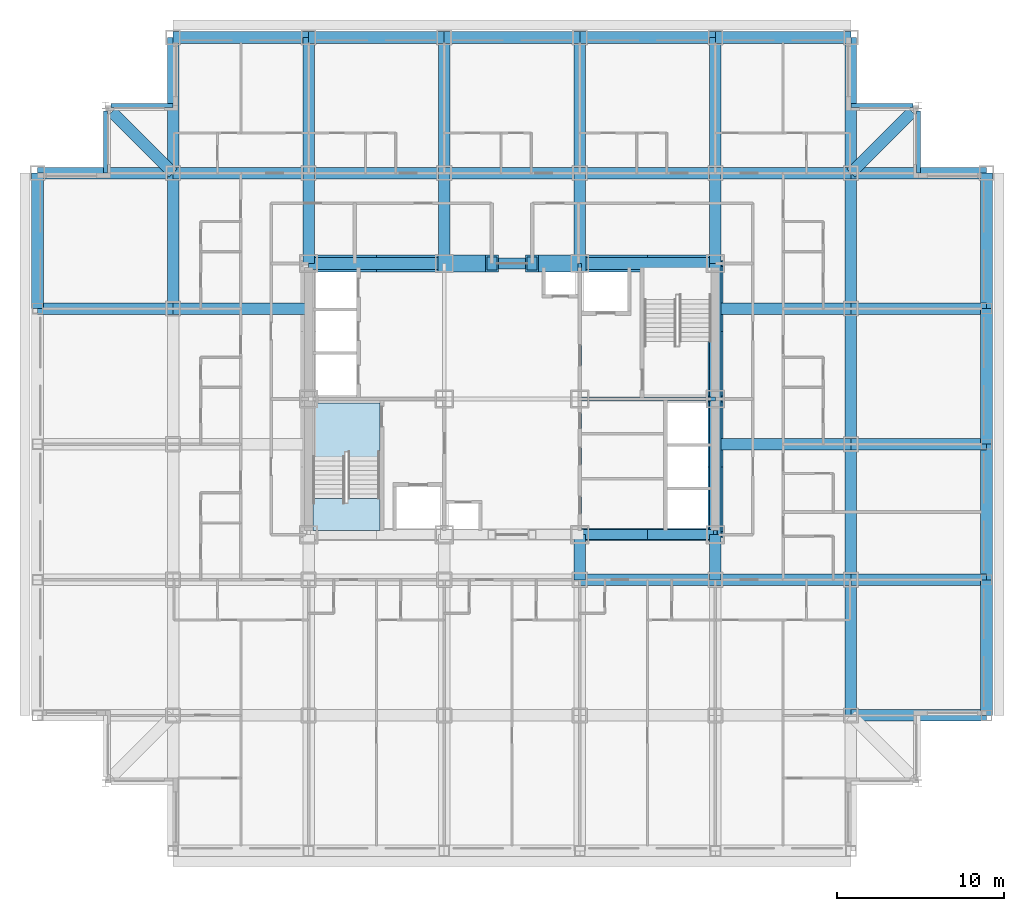
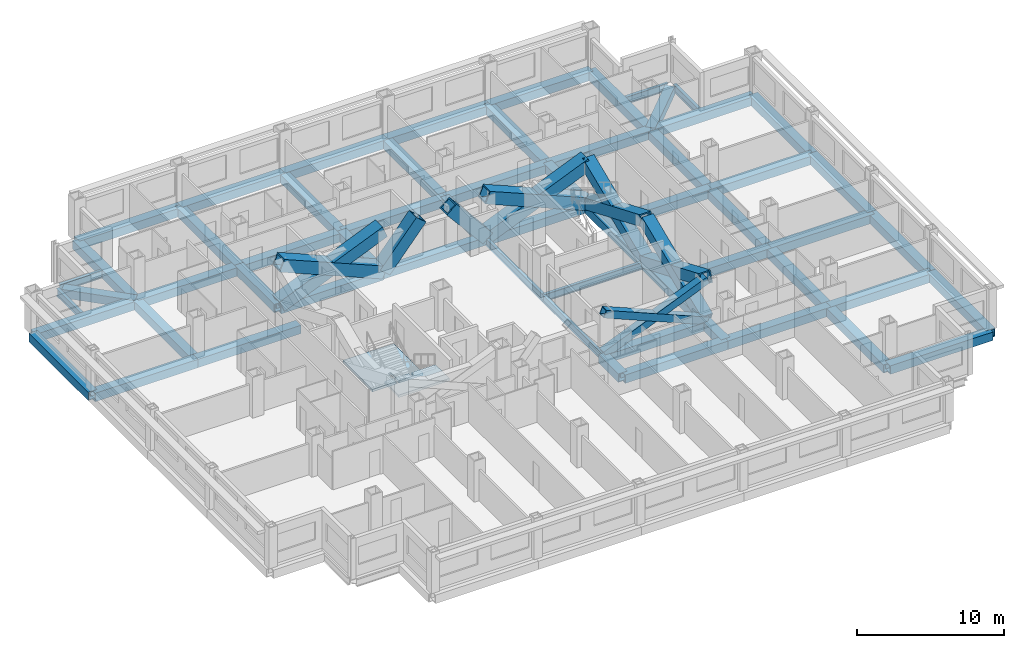
# One storey, part 2 of 12: 59 beams, 12 members, 2 slabs, 1 element without a shape of its own.
"""IFC4 building model written with IfcOpenShell, lengths in metres."""

from ifc_helpers import new_model, si_unit, direction, frame, origin, origin_2d, place, context, subcontext, project, spatial, polyline, hollow_rectangle, i_section, outline, extrude, material, layer, layer_set, material_profile, profile_set, type_object, element, aggregate, save


model = new_model("IFC4")

# Units and contexts
model_context = context("Model", 3, precision=1e-05, world=origin(), true_north=direction((0.0, 1.0)))
body_context = subcontext(model_context, "Body", "Model", "MODEL_VIEW")
ifc_project = project(units=[si_unit("LENGTHUNIT", "METRE"), si_unit("AREAUNIT", "SQUARE_METRE"), si_unit("VOLUMEUNIT", "CUBIC_METRE"), si_unit("PLANEANGLEUNIT", "RADIAN"), si_unit("MASSUNIT", "GRAM", prefix="KILO")], contexts=[model_context])

# Site, building, storey
site_placement = place(None, origin())
site = spatial("IfcSite", under=ifc_project, at=site_placement, CompositionType="ELEMENT")
building_placement = place(site_placement, origin())
building = spatial("IfcBuilding", under=site, at=building_placement, Name="Kopane Lantern Tower", CompositionType="ELEMENT")
storey_placement = place(building_placement, frame((0.0, 0.0, 103.39990234375)))
storey = spatial("IfcBuildingStorey", under=building, at=storey_placement, Name="L25", CompositionType="ELEMENT", Elevation=103.39990234375)

# Members
ifc_material_1 = material(Name="Steel S355JR", Category="steel")
ifc_material_profile_1 = material_profile(ifc_material_1, hollow_rectangle(XDim=1.0, YDim=1.0, WallThickness=0.10009765625, at=origin_2d()), Name="BOX 1000x1000x100")
ifc_profile_set_1 = profile_set([ifc_material_profile_1], Name="Steel S355JR")
member_type_1 = type_object("IfcMemberType", Name="BRACE BOX 1000x1000x100", PredefinedType="BRACE", material=ifc_profile_set_1)
for number, where, z_axis, x_axis, name in (
    (1, (16.199951171875, 40.5, -0.2099609375), (0.92205908274, 0.0, 0.387049154419), (0.0, 1.0, 0.0), "Core brace L25"),
    (2, (24.300048828125, 40.5, -0.2099609375), (-0.92205908274, 0.0, 0.387049154419), (0.0, -1.0, 0.0), "Core brace L25"),
):
    element("IfcMember", number, at=place(storey_placement, frame(where, z_axis=z_axis, x_axis=x_axis)), inside=storey, type_object=member_type_1, Name=name, PredefinedType="BRACE", context=body_context, shape_type="SweptSolid", body=[
        extrude(hollow_rectangle(XDim=1.0, YDim=1.0, WallThickness=0.10009765625, at=origin_2d()), origin(), (0.0, 0.0, 1.0), 8.784912109375),
    ])
for number, where, z_axis, x_axis, name in (
    (3, (24.300048828125, 40.5, -0.2099609375), (0.642363165114, 0.0, 0.766400394118), (0.0, 1.0, 0.0), "Core brace L25"),
    (4, (32.39990234375, 40.5, -0.2099609375), (-0.642363165114, 0.0, 0.766400394118), (0.0, -1.0, 0.0), "Core brace L25"),
):
    element("IfcMember", number, at=place(storey_placement, frame(where, z_axis=z_axis, x_axis=x_axis)), inside=storey, type_object=member_type_1, Name=name, PredefinedType="BRACE", context=body_context, shape_type="SweptSolid", body=[
        extrude(hollow_rectangle(XDim=1.0, YDim=1.0, WallThickness=0.10009765625, at=origin_2d()), origin(), (0.0, 0.0, 1.0), 4.4365234375),
    ])
for number, where, z_axis, x_axis, name in (
    (5, (32.39990234375, 40.5, -0.2099609375), (0.92205908274, 0.0, 0.387049154419), (0.0, 1.0, 0.0), "Core brace L25"),
    (6, (40.5, 40.5, -0.2099609375), (-0.92205908274, 0.0, 0.387049154419), (0.0, -1.0, 0.0), "Core brace L25"),
):
    element("IfcMember", number, at=place(storey_placement, frame(where, z_axis=z_axis, x_axis=x_axis)), inside=storey, type_object=member_type_1, Name=name, PredefinedType="BRACE", context=body_context, shape_type="SweptSolid", body=[
        extrude(hollow_rectangle(XDim=1.0, YDim=1.0, WallThickness=0.10009765625, at=origin_2d()), origin(), (0.0, 0.0, 1.0), 8.784912109375),
    ])
ifc_material_2 = material(Name="Steel S355JR", Category="steel")
ifc_material_profile_2 = material_profile(ifc_material_2, hollow_rectangle(XDim=0.60009765625, YDim=0.60009765625, WallThickness=0.050048828125, at=origin_2d()), Name="BOX 600x600x50")
ifc_profile_set_2 = profile_set([ifc_material_profile_2], Name="Steel S355JR")
member_type_2 = type_object("IfcMemberType", Name="BRACE BOX 600x600x50", PredefinedType="BRACE", material=ifc_profile_set_2)
for number, where, z_axis, x_axis, name in (
    (7, (32.39990234375, 24.300048828125, -0.2099609375), (0.92205908274, 0.0, 0.387049154419), (0.0, 1.0, 0.0), "Core brace L25"),
    (8, (40.5, 24.300048828125, -0.2099609375), (-0.92205908274, 0.0, 0.387049154419), (0.0, -1.0, 0.0), "Core brace L25"),
):
    element("IfcMember", number, at=place(storey_placement, frame(where, z_axis=z_axis, x_axis=x_axis)), inside=storey, type_object=member_type_2, Name=name, PredefinedType="BRACE", context=body_context, shape_type="SweptSolid", body=[
        extrude(hollow_rectangle(XDim=0.60009765625, YDim=0.60009765625, WallThickness=0.050048828125, at=origin_2d()), origin(), (0.0, 0.0, 1.0), 8.784912109375),
    ])
ifc_material_3 = material(Name="Steel S355JR", Category="steel")
ifc_material_profile_3 = material_profile(ifc_material_3, hollow_rectangle(XDim=0.89990234375, YDim=0.89990234375, WallThickness=0.090087890625, at=origin_2d()), Name="BOX 900x900x90")
ifc_profile_set_3 = profile_set([ifc_material_profile_3], Name="Steel S355JR")
member_type_3 = type_object("IfcMemberType", Name="BRACE BOX 900x900x90", PredefinedType="BRACE", material=ifc_profile_set_3)
for number, where, z_axis, x_axis, name in (
    (9, (40.5, 24.300048828125, -0.2099609375), (0.0, 0.92205491925, 0.387059072864), (-1.0, 0.0, 0.0), "Core brace L25"),
    (10, (40.5, 32.39990234375, -0.2099609375), (0.0, -0.92205491925, 0.387059072864), (1.0, 0.0, 0.0), "Core brace L25"),
):
    element("IfcMember", number, at=place(storey_placement, frame(where, z_axis=z_axis, x_axis=x_axis)), inside=storey, type_object=member_type_3, Name=name, PredefinedType="BRACE", context=body_context, shape_type="SweptSolid", body=[
        extrude(hollow_rectangle(XDim=0.89990234375, YDim=0.89990234375, WallThickness=0.090087890625, at=origin_2d()), origin(), (0.0, 0.0, 1.0), 8.78466796875),
    ])
for number, where, z_axis, x_axis, name in (
    (11, (40.5, 32.39990234375, -0.2099609375), (0.0, 0.92205908274, 0.387049154419), (-1.0, 0.0, 0.0), "Core brace L25"),
    (12, (40.5, 40.5, -0.2099609375), (0.0, -0.92205908274, 0.387049154419), (1.0, 0.0, 0.0), "Core brace L25"),
):
    element("IfcMember", number, at=place(storey_placement, frame(where, z_axis=z_axis, x_axis=x_axis)), inside=storey, type_object=member_type_3, Name=name, PredefinedType="BRACE", context=body_context, shape_type="SweptSolid", body=[
        extrude(hollow_rectangle(XDim=0.89990234375, YDim=0.89990234375, WallThickness=0.090087890625, at=origin_2d()), origin(), (0.0, 0.0, 1.0), 8.784912109375),
    ])

# Beams
ifc_material_4 = material(Name="Steel S355JR", Category="steel")
ifc_material_profile_4 = material_profile(ifc_material_4, i_section(OverallWidth=0.22900390625, OverallDepth=0.6123046875, WebThickness=0.011962890625, FlangeThickness=0.01953125, FilletRadius=0.0126953125, at=origin_2d()), Name="UB 610x229x125")
ifc_profile_set_4 = profile_set([ifc_material_profile_4], Name="Steel S355JR")
beam_type_1 = type_object("IfcBeamType", Name="CORE BEAM UB 610x229x125", PredefinedType="BEAM", material=ifc_profile_set_4)
beam_1_placement = place(storey_placement, frame((32.39990234375, 24.300048828125, -0.51611328125), z_axis=(0.0, 1.0, 0.0), x_axis=(-1.0, 0.0, 0.0)))
element("IfcBeam", 13, at=beam_1_placement, inside=storey, type_object=beam_type_1, Name="Core Beam L25", PredefinedType="BEAM", context=body_context, shape_type="SweptSolid", body=[
    extrude(i_section(OverallWidth=0.22900390625, OverallDepth=0.6123046875, WebThickness=0.011962890625, FlangeThickness=0.01953125, FilletRadius=0.0126953125, at=origin_2d()), origin(), (0.0, 0.0, 1.0), 8.099853515625),
])
for number, where, z_axis, x_axis, name in (
    (14, (32.39990234375, 32.39990234375, -0.51611328125), (0.0, 1.0, 0.0), (-1.0, 0.0, 0.0), "Core Beam L25"),
    (15, (32.39990234375, 32.39990234375, -0.51611328125), (1.0, 0.0, 0.0), (0.0, 1.0, 0.0), "Core Beam L25"),
):
    element("IfcBeam", number, at=place(storey_placement, frame(where, z_axis=z_axis, x_axis=x_axis)), inside=storey, type_object=beam_type_1, Name=name, PredefinedType="BEAM", context=body_context, shape_type="SweptSolid", body=[
        extrude(i_section(OverallWidth=0.22900390625, OverallDepth=0.6123046875, WebThickness=0.011962890625, FlangeThickness=0.01953125, FilletRadius=0.0126953125, at=origin_2d()), origin(), (0.0, 0.0, 1.0), 8.10009765625),
    ])
ifc_material_5 = material(Name="Steel S355JR", Category="steel")
ifc_material_profile_5 = material_profile(ifc_material_5, hollow_rectangle(XDim=0.699951171875, YDim=0.699951171875, WallThickness=0.06005859375, at=origin_2d()), Name="BOX 700x700x60")
ifc_profile_set_5 = profile_set([ifc_material_profile_5], Name="Steel S355JR")
beam_type_2 = type_object("IfcBeamType", Name="CORNER TIE BEAM BOX 700x700x60", PredefinedType="BEAM", material=ifc_profile_set_5)
beam_2_placement = place(storey_placement, frame((4.447509765625, 49.552490234375, -0.559814453125), z_axis=(0.707106781187, -0.707106781187, 0.0), x_axis=(0.707106781187, 0.707106781187, 0.0)))
element("IfcBeam", 16, at=beam_2_placement, inside=storey, type_object=beam_type_2, Name="Corner Tie Beam L25", PredefinedType="BEAM", context=body_context, shape_type="SweptSolid", body=[
    extrude(hollow_rectangle(XDim=0.699951171875, YDim=0.699951171875, WallThickness=0.06005859375, at=origin_2d()), origin(), (0.0, 0.0, 1.0), 5.16552734375),
])
beam_3_placement = place(storey_placement, frame((52.25244140625, 49.552490234375, -0.559814453125), z_axis=(-0.707083148333, -0.70713041325, 0.0), x_axis=(0.70713041325, -0.707083148333, 0.0)))
element("IfcBeam", 17, at=beam_3_placement, inside=storey, type_object=beam_type_2, Name="Corner Tie Beam L25", PredefinedType="BEAM", context=body_context, shape_type="SweptSolid", body=[
    extrude(hollow_rectangle(XDim=0.699951171875, YDim=0.699951171875, WallThickness=0.06005859375, at=origin_2d()), origin(), (0.0, 0.0, 1.0), 5.165283203125),
])
ifc_material_6 = material(Name="Steel S355JR", Category="steel")
ifc_material_profile_6 = material_profile(ifc_material_6, i_section(OverallWidth=0.22900390625, OverallDepth=0.6123046875, WebThickness=0.011962890625, FlangeThickness=0.01953125, FilletRadius=0.0126953125, at=origin_2d()), Name="UB 610x229x125")
ifc_profile_set_6 = profile_set([ifc_material_profile_6], Name="Steel S355JR")
beam_type_3 = type_object("IfcBeamType", Name="EDGE BEAM UB 610x229x125", PredefinedType="BEAM", material=ifc_profile_set_6)
for number, where, z_axis, x_axis, name in (
    (18, (4.050048828125, 49.60009765625, -0.51611328125), (0.0, -1.0, 0.0), (1.0, 0.0, 0.0), "Edge Beam L25"),
    (19, (4.39990234375, 49.949951171875, -0.51611328125), (1.0, 0.0, 0.0), (0.0, 1.0, 0.0), "Edge Beam L25"),
):
    element("IfcBeam", number, at=place(storey_placement, frame(where, z_axis=z_axis, x_axis=x_axis)), inside=storey, type_object=beam_type_3, Name=name, PredefinedType="BEAM", context=body_context, shape_type="SweptSolid", body=[
        extrude(i_section(OverallWidth=0.22900390625, OverallDepth=0.6123046875, WebThickness=0.011962890625, FlangeThickness=0.01953125, FilletRadius=0.0126953125, at=origin_2d()), origin(), (0.0, 0.0, 1.0), 3.7001953125),
    ])
beam_4_placement = place(storey_placement, frame((52.300048828125, 49.949951171875, -0.51611328125), z_axis=(-1.0, 0.0, 0.0), x_axis=(0.0, -1.0, 0.0)))
element("IfcBeam", 20, at=beam_4_placement, inside=storey, type_object=beam_type_3, Name="Edge Beam L25", PredefinedType="BEAM", context=body_context, shape_type="SweptSolid", body=[
    extrude(i_section(OverallWidth=0.22900390625, OverallDepth=0.6123046875, WebThickness=0.011962890625, FlangeThickness=0.01953125, FilletRadius=0.0126953125, at=origin_2d()), origin(), (0.0, 0.0, 1.0), 3.699951171875),
])
beam_5_placement = place(storey_placement, frame((52.64990234375, 49.60009765625, -0.51611328125), z_axis=(0.0, -1.0, 0.0), x_axis=(1.0, 0.0, 0.0)))
element("IfcBeam", 21, at=beam_5_placement, inside=storey, type_object=beam_type_3, Name="Edge Beam L25", PredefinedType="BEAM", context=body_context, shape_type="SweptSolid", body=[
    extrude(i_section(OverallWidth=0.22900390625, OverallDepth=0.6123046875, WebThickness=0.011962890625, FlangeThickness=0.01953125, FilletRadius=0.0126953125, at=origin_2d()), origin(), (0.0, 0.0, 1.0), 3.7001953125),
])
ifc_material_7 = material(Name="Steel S355JR", Category="steel")
ifc_material_profile_7 = material_profile(ifc_material_7, hollow_rectangle(XDim=0.699951171875, YDim=0.699951171875, WallThickness=0.06005859375, at=origin_2d()), Name="BOX 700x700x60")
ifc_profile_set_7 = profile_set([ifc_material_profile_7], Name="Steel S355JR")
beam_type_4 = type_object("IfcBeamType", Name="GIRDER BOX 700x700x60", PredefinedType="BEAM", material=ifc_profile_set_7)
beam_6_placement = place(storey_placement, frame((0.0, 37.800048828125, -0.559814453125), z_axis=(0.0, 1.0, 0.0), x_axis=(-1.0, 0.0, 0.0)))
element("IfcBeam", 22, at=beam_6_placement, inside=storey, type_object=beam_type_4, Name="Girder L25", PredefinedType="BEAM", context=body_context, shape_type="SweptSolid", body=[
    extrude(hollow_rectangle(XDim=0.699951171875, YDim=0.699951171875, WallThickness=0.06005859375, at=origin_2d()), origin(), (0.0, 0.0, 1.0), 8.099853515625),
])
for number, where, z_axis, x_axis, name in (
    (23, (0.0, 37.800048828125, -0.559814453125), (1.0, 0.0, 0.0), (0.0, 1.0, 0.0), "Girder L25"),
    (24, (0.0, 45.89990234375, -0.559814453125), (1.0, 0.0, 0.0), (0.0, 1.0, 0.0), "Girder L25"),
):
    element("IfcBeam", number, at=place(storey_placement, frame(where, z_axis=z_axis, x_axis=x_axis)), inside=storey, type_object=beam_type_4, Name=name, PredefinedType="BEAM", context=body_context, shape_type="SweptSolid", body=[
        extrude(hollow_rectangle(XDim=0.699951171875, YDim=0.699951171875, WallThickness=0.06005859375, at=origin_2d()), origin(), (0.0, 0.0, 1.0), 8.10009765625),
    ])
for number, where, z_axis, x_axis, name in (
    (25, (8.10009765625, 37.800048828125, -0.559814453125), (0.0, 1.0, 0.0), (-1.0, 0.0, 0.0), "Girder L25"),
    (26, (8.10009765625, 37.800048828125, -0.559814453125), (1.0, 0.0, 0.0), (0.0, 1.0, 0.0), "Girder L25"),
):
    element("IfcBeam", number, at=place(storey_placement, frame(where, z_axis=z_axis, x_axis=x_axis)), inside=storey, type_object=beam_type_4, Name=name, PredefinedType="BEAM", context=body_context, shape_type="SweptSolid", body=[
        extrude(hollow_rectangle(XDim=0.699951171875, YDim=0.699951171875, WallThickness=0.06005859375, at=origin_2d()), origin(), (0.0, 0.0, 1.0), 8.099853515625),
    ])
beam_7_placement = place(storey_placement, frame((8.10009765625, 45.89990234375, -0.559814453125), z_axis=(0.0, 1.0, 0.0), x_axis=(-1.0, 0.0, 0.0)))
element("IfcBeam", 27, at=beam_7_placement, inside=storey, type_object=beam_type_4, Name="Girder L25", PredefinedType="BEAM", context=body_context, shape_type="SweptSolid", body=[
    extrude(hollow_rectangle(XDim=0.699951171875, YDim=0.699951171875, WallThickness=0.06005859375, at=origin_2d()), origin(), (0.0, 0.0, 1.0), 8.10009765625),
])
for number, where, z_axis, x_axis, name in (
    (28, (8.10009765625, 45.89990234375, -0.559814453125), (1.0, 0.0, 0.0), (0.0, 1.0, 0.0), "Girder L25"),
    (29, (8.10009765625, 54.0, -0.559814453125), (1.0, 0.0, 0.0), (0.0, 1.0, 0.0), "Girder L25"),
):
    element("IfcBeam", number, at=place(storey_placement, frame(where, z_axis=z_axis, x_axis=x_axis)), inside=storey, type_object=beam_type_4, Name=name, PredefinedType="BEAM", context=body_context, shape_type="SweptSolid", body=[
        extrude(hollow_rectangle(XDim=0.699951171875, YDim=0.699951171875, WallThickness=0.06005859375, at=origin_2d()), origin(), (0.0, 0.0, 1.0), 8.099853515625),
    ])
beam_8_placement = place(storey_placement, frame((16.199951171875, 40.5, -0.559814453125), z_axis=(0.0, 1.0, 0.0), x_axis=(-1.0, 0.0, 0.0)))
element("IfcBeam", 30, at=beam_8_placement, inside=storey, type_object=beam_type_4, Name="Girder L25", PredefinedType="BEAM", context=body_context, shape_type="SweptSolid", body=[
    extrude(hollow_rectangle(XDim=0.699951171875, YDim=0.699951171875, WallThickness=0.06005859375, at=origin_2d()), origin(), (0.0, 0.0, 1.0), 5.39990234375),
])
for number, where, z_axis, x_axis, name in (
    (31, (16.199951171875, 40.5, -0.559814453125), (1.0, 0.0, 0.0), (0.0, 1.0, 0.0), "Girder L25"),
    (32, (16.199951171875, 45.89990234375, -0.559814453125), (0.0, 1.0, 0.0), (-1.0, 0.0, 0.0), "Girder L25"),
    (33, (16.199951171875, 45.89990234375, -0.559814453125), (1.0, 0.0, 0.0), (0.0, 1.0, 0.0), "Girder L25"),
    (34, (16.199951171875, 54.0, -0.559814453125), (1.0, 0.0, 0.0), (0.0, 1.0, 0.0), "Girder L25"),
):
    element("IfcBeam", number, at=place(storey_placement, frame(where, z_axis=z_axis, x_axis=x_axis)), inside=storey, type_object=beam_type_4, Name=name, PredefinedType="BEAM", context=body_context, shape_type="SweptSolid", body=[
        extrude(hollow_rectangle(XDim=0.699951171875, YDim=0.699951171875, WallThickness=0.06005859375, at=origin_2d()), origin(), (0.0, 0.0, 1.0), 8.10009765625),
    ])
beam_9_placement = place(storey_placement, frame((24.300048828125, 40.5, -0.559814453125), z_axis=(0.0, 1.0, 0.0), x_axis=(-1.0, 0.0, 0.0)))
element("IfcBeam", 35, at=beam_9_placement, inside=storey, type_object=beam_type_4, Name="Girder L25", PredefinedType="BEAM", context=body_context, shape_type="SweptSolid", body=[
    extrude(hollow_rectangle(XDim=0.699951171875, YDim=0.699951171875, WallThickness=0.06005859375, at=origin_2d()), origin(), (0.0, 0.0, 1.0), 5.39990234375),
])
beam_10_placement = place(storey_placement, frame((24.300048828125, 45.89990234375, -0.559814453125), z_axis=(0.0, 1.0, 0.0), x_axis=(-1.0, 0.0, 0.0)))
element("IfcBeam", 36, at=beam_10_placement, inside=storey, type_object=beam_type_4, Name="Girder L25", PredefinedType="BEAM", context=body_context, shape_type="SweptSolid", body=[
    extrude(hollow_rectangle(XDim=0.699951171875, YDim=0.699951171875, WallThickness=0.06005859375, at=origin_2d()), origin(), (0.0, 0.0, 1.0), 8.10009765625),
])
for number, where, z_axis, x_axis, name in (
    (37, (24.300048828125, 45.89990234375, -0.559814453125), (1.0, 0.0, 0.0), (0.0, 1.0, 0.0), "Girder L25"),
    (38, (24.300048828125, 54.0, -0.559814453125), (1.0, 0.0, 0.0), (0.0, 1.0, 0.0), "Girder L25"),
):
    element("IfcBeam", number, at=place(storey_placement, frame(where, z_axis=z_axis, x_axis=x_axis)), inside=storey, type_object=beam_type_4, Name=name, PredefinedType="BEAM", context=body_context, shape_type="SweptSolid", body=[
        extrude(hollow_rectangle(XDim=0.699951171875, YDim=0.699951171875, WallThickness=0.06005859375, at=origin_2d()), origin(), (0.0, 0.0, 1.0), 8.099853515625),
    ])
beam_11_placement = place(storey_placement, frame((32.39990234375, 21.60009765625, -0.559814453125), z_axis=(0.0, 1.0, 0.0), x_axis=(-1.0, 0.0, 0.0)))
element("IfcBeam", 39, at=beam_11_placement, inside=storey, type_object=beam_type_4, Name="Girder L25", PredefinedType="BEAM", context=body_context, shape_type="SweptSolid", body=[
    extrude(hollow_rectangle(XDim=0.699951171875, YDim=0.699951171875, WallThickness=0.06005859375, at=origin_2d()), origin(), (0.0, 0.0, 1.0), 2.699951171875),
])
for number, where, z_axis, x_axis, name in (
    (40, (32.39990234375, 21.60009765625, -0.559814453125), (1.0, 0.0, 0.0), (0.0, 1.0, 0.0), "Girder L25"),
    (41, (32.39990234375, 24.300048828125, -0.559814453125), (1.0, 0.0, 0.0), (0.0, 1.0, 0.0), "Girder L25"),
):
    element("IfcBeam", number, at=place(storey_placement, frame(where, z_axis=z_axis, x_axis=x_axis)), inside=storey, type_object=beam_type_4, Name=name, PredefinedType="BEAM", context=body_context, shape_type="SweptSolid", body=[
        extrude(hollow_rectangle(XDim=0.699951171875, YDim=0.699951171875, WallThickness=0.06005859375, at=origin_2d()), origin(), (0.0, 0.0, 1.0), 8.10009765625),
    ])
beam_12_placement = place(storey_placement, frame((32.39990234375, 40.5, -0.559814453125), z_axis=(0.0, 1.0, 0.0), x_axis=(-1.0, 0.0, 0.0)))
element("IfcBeam", 42, at=beam_12_placement, inside=storey, type_object=beam_type_4, Name="Girder L25", PredefinedType="BEAM", context=body_context, shape_type="SweptSolid", body=[
    extrude(hollow_rectangle(XDim=0.699951171875, YDim=0.699951171875, WallThickness=0.06005859375, at=origin_2d()), origin(), (0.0, 0.0, 1.0), 5.39990234375),
])
for number, where, z_axis, x_axis, name in (
    (43, (32.39990234375, 40.5, -0.559814453125), (1.0, 0.0, 0.0), (0.0, 1.0, 0.0), "Girder L25"),
    (44, (32.39990234375, 45.89990234375, -0.559814453125), (0.0, 1.0, 0.0), (-1.0, 0.0, 0.0), "Girder L25"),
    (45, (32.39990234375, 45.89990234375, -0.559814453125), (1.0, 0.0, 0.0), (0.0, 1.0, 0.0), "Girder L25"),
    (46, (32.39990234375, 54.0, -0.559814453125), (1.0, 0.0, 0.0), (0.0, 1.0, 0.0), "Girder L25"),
):
    element("IfcBeam", number, at=place(storey_placement, frame(where, z_axis=z_axis, x_axis=x_axis)), inside=storey, type_object=beam_type_4, Name=name, PredefinedType="BEAM", context=body_context, shape_type="SweptSolid", body=[
        extrude(hollow_rectangle(XDim=0.699951171875, YDim=0.699951171875, WallThickness=0.06005859375, at=origin_2d()), origin(), (0.0, 0.0, 1.0), 8.10009765625),
    ])
beam_13_placement = place(storey_placement, frame((40.5, 21.60009765625, -0.559814453125), z_axis=(0.0, 1.0, 0.0), x_axis=(-1.0, 0.0, 0.0)))
element("IfcBeam", 47, at=beam_13_placement, inside=storey, type_object=beam_type_4, Name="Girder L25", PredefinedType="BEAM", context=body_context, shape_type="SweptSolid", body=[
    extrude(hollow_rectangle(XDim=0.699951171875, YDim=0.699951171875, WallThickness=0.06005859375, at=origin_2d()), origin(), (0.0, 0.0, 1.0), 2.699951171875),
])
beam_14_placement = place(storey_placement, frame((40.5, 21.60009765625, -0.559814453125), z_axis=(1.0, 0.0, 0.0), x_axis=(0.0, 1.0, 0.0)))
element("IfcBeam", 48, at=beam_14_placement, inside=storey, type_object=beam_type_4, Name="Girder L25", PredefinedType="BEAM", context=body_context, shape_type="SweptSolid", body=[
    extrude(hollow_rectangle(XDim=0.699951171875, YDim=0.699951171875, WallThickness=0.06005859375, at=origin_2d()), origin(), (0.0, 0.0, 1.0), 8.10009765625),
])
beam_15_placement = place(storey_placement, frame((40.5, 24.300048828125, -0.559814453125), z_axis=(0.0, 1.0, 0.0), x_axis=(-1.0, 0.0, 0.0)))
element("IfcBeam", 49, at=beam_15_placement, inside=storey, type_object=beam_type_4, Name="Girder L25", PredefinedType="BEAM", context=body_context, shape_type="SweptSolid", body=[
    extrude(hollow_rectangle(XDim=0.699951171875, YDim=0.699951171875, WallThickness=0.06005859375, at=origin_2d()), origin(), (0.0, 0.0, 1.0), 8.099853515625),
])
for number, where, z_axis, x_axis, name in (
    (50, (40.5, 29.699951171875, -0.559814453125), (1.0, 0.0, 0.0), (0.0, 1.0, 0.0), "Girder L25"),
    (51, (40.5, 32.39990234375, -0.559814453125), (0.0, 1.0, 0.0), (-1.0, 0.0, 0.0), "Girder L25"),
    (52, (40.5, 37.800048828125, -0.559814453125), (1.0, 0.0, 0.0), (0.0, 1.0, 0.0), "Girder L25"),
):
    element("IfcBeam", number, at=place(storey_placement, frame(where, z_axis=z_axis, x_axis=x_axis)), inside=storey, type_object=beam_type_4, Name=name, PredefinedType="BEAM", context=body_context, shape_type="SweptSolid", body=[
        extrude(hollow_rectangle(XDim=0.699951171875, YDim=0.699951171875, WallThickness=0.06005859375, at=origin_2d()), origin(), (0.0, 0.0, 1.0), 8.10009765625),
    ])
beam_16_placement = place(storey_placement, frame((40.5, 40.5, -0.559814453125), z_axis=(0.0, 1.0, 0.0), x_axis=(-1.0, 0.0, 0.0)))
element("IfcBeam", 53, at=beam_16_placement, inside=storey, type_object=beam_type_4, Name="Girder L25", PredefinedType="BEAM", context=body_context, shape_type="SweptSolid", body=[
    extrude(hollow_rectangle(XDim=0.699951171875, YDim=0.699951171875, WallThickness=0.06005859375, at=origin_2d()), origin(), (0.0, 0.0, 1.0), 5.39990234375),
])
for number, where, z_axis, x_axis, name in (
    (54, (40.5, 45.89990234375, -0.559814453125), (0.0, 1.0, 0.0), (-1.0, 0.0, 0.0), "Girder L25"),
    (55, (40.5, 45.89990234375, -0.559814453125), (1.0, 0.0, 0.0), (0.0, 1.0, 0.0), "Girder L25"),
    (56, (40.5, 54.0, -0.559814453125), (1.0, 0.0, 0.0), (0.0, 1.0, 0.0), "Girder L25"),
    (57, (48.60009765625, 13.5, -0.559814453125), (0.0, 1.0, 0.0), (-1.0, 0.0, 0.0), "Girder L25"),
):
    element("IfcBeam", number, at=place(storey_placement, frame(where, z_axis=z_axis, x_axis=x_axis)), inside=storey, type_object=beam_type_4, Name=name, PredefinedType="BEAM", context=body_context, shape_type="SweptSolid", body=[
        extrude(hollow_rectangle(XDim=0.699951171875, YDim=0.699951171875, WallThickness=0.06005859375, at=origin_2d()), origin(), (0.0, 0.0, 1.0), 8.10009765625),
    ])
for number, where, z_axis, x_axis, name in (
    (58, (48.60009765625, 13.5, -0.559814453125), (1.0, 0.0, 0.0), (0.0, 1.0, 0.0), "Girder L25"),
    (59, (48.60009765625, 21.60009765625, -0.559814453125), (0.0, 1.0, 0.0), (-1.0, 0.0, 0.0), "Girder L25"),
    (60, (48.60009765625, 21.60009765625, -0.559814453125), (1.0, 0.0, 0.0), (0.0, 1.0, 0.0), "Girder L25"),
):
    element("IfcBeam", number, at=place(storey_placement, frame(where, z_axis=z_axis, x_axis=x_axis)), inside=storey, type_object=beam_type_4, Name=name, PredefinedType="BEAM", context=body_context, shape_type="SweptSolid", body=[
        extrude(hollow_rectangle(XDim=0.699951171875, YDim=0.699951171875, WallThickness=0.06005859375, at=origin_2d()), origin(), (0.0, 0.0, 1.0), 8.099853515625),
    ])
beam_17_placement = place(storey_placement, frame((48.60009765625, 29.699951171875, -0.559814453125), z_axis=(0.0, 1.0, 0.0), x_axis=(-1.0, 0.0, 0.0)))
element("IfcBeam", 61, at=beam_17_placement, inside=storey, type_object=beam_type_4, Name="Girder L25", PredefinedType="BEAM", context=body_context, shape_type="SweptSolid", body=[
    extrude(hollow_rectangle(XDim=0.699951171875, YDim=0.699951171875, WallThickness=0.06005859375, at=origin_2d()), origin(), (0.0, 0.0, 1.0), 8.10009765625),
])
for number, where, z_axis, x_axis, name in (
    (62, (48.60009765625, 29.699951171875, -0.559814453125), (1.0, 0.0, 0.0), (0.0, 1.0, 0.0), "Girder L25"),
    (63, (48.60009765625, 37.800048828125, -0.559814453125), (0.0, 1.0, 0.0), (-1.0, 0.0, 0.0), "Girder L25"),
    (64, (48.60009765625, 37.800048828125, -0.559814453125), (1.0, 0.0, 0.0), (0.0, 1.0, 0.0), "Girder L25"),
):
    element("IfcBeam", number, at=place(storey_placement, frame(where, z_axis=z_axis, x_axis=x_axis)), inside=storey, type_object=beam_type_4, Name=name, PredefinedType="BEAM", context=body_context, shape_type="SweptSolid", body=[
        extrude(hollow_rectangle(XDim=0.699951171875, YDim=0.699951171875, WallThickness=0.06005859375, at=origin_2d()), origin(), (0.0, 0.0, 1.0), 8.099853515625),
    ])
beam_18_placement = place(storey_placement, frame((48.60009765625, 45.89990234375, -0.559814453125), z_axis=(0.0, 1.0, 0.0), x_axis=(-1.0, 0.0, 0.0)))
element("IfcBeam", 65, at=beam_18_placement, inside=storey, type_object=beam_type_4, Name="Girder L25", PredefinedType="BEAM", context=body_context, shape_type="SweptSolid", body=[
    extrude(hollow_rectangle(XDim=0.699951171875, YDim=0.699951171875, WallThickness=0.06005859375, at=origin_2d()), origin(), (0.0, 0.0, 1.0), 8.10009765625),
])
beam_19_placement = place(storey_placement, frame((48.60009765625, 45.89990234375, -0.559814453125), z_axis=(1.0, 0.0, 0.0), x_axis=(0.0, 1.0, 0.0)))
element("IfcBeam", 66, at=beam_19_placement, inside=storey, type_object=beam_type_4, Name="Girder L25", PredefinedType="BEAM", context=body_context, shape_type="SweptSolid", body=[
    extrude(hollow_rectangle(XDim=0.699951171875, YDim=0.699951171875, WallThickness=0.06005859375, at=origin_2d()), origin(), (0.0, 0.0, 1.0), 8.099853515625),
])
beam_20_placement = place(storey_placement, frame((56.699951171875, 13.5, -0.559814453125), z_axis=(0.0, 1.0, 0.0), x_axis=(-1.0, 0.0, 0.0)))
element("IfcBeam", 67, at=beam_20_placement, inside=storey, type_object=beam_type_4, Name="Girder L25", PredefinedType="BEAM", context=body_context, shape_type="SweptSolid", body=[
    extrude(hollow_rectangle(XDim=0.699951171875, YDim=0.699951171875, WallThickness=0.06005859375, at=origin_2d()), origin(), (0.0, 0.0, 1.0), 8.10009765625),
])
beam_21_placement = place(storey_placement, frame((56.699951171875, 21.60009765625, -0.559814453125), z_axis=(0.0, 1.0, 0.0), x_axis=(-1.0, 0.0, 0.0)))
element("IfcBeam", 68, at=beam_21_placement, inside=storey, type_object=beam_type_4, Name="Girder L25", PredefinedType="BEAM", context=body_context, shape_type="SweptSolid", body=[
    extrude(hollow_rectangle(XDim=0.699951171875, YDim=0.699951171875, WallThickness=0.06005859375, at=origin_2d()), origin(), (0.0, 0.0, 1.0), 8.099853515625),
])
beam_22_placement = place(storey_placement, frame((56.699951171875, 29.699951171875, -0.559814453125), z_axis=(0.0, 1.0, 0.0), x_axis=(-1.0, 0.0, 0.0)))
element("IfcBeam", 69, at=beam_22_placement, inside=storey, type_object=beam_type_4, Name="Girder L25", PredefinedType="BEAM", context=body_context, shape_type="SweptSolid", body=[
    extrude(hollow_rectangle(XDim=0.699951171875, YDim=0.699951171875, WallThickness=0.06005859375, at=origin_2d()), origin(), (0.0, 0.0, 1.0), 8.10009765625),
])
beam_23_placement = place(storey_placement, frame((56.699951171875, 37.800048828125, -0.559814453125), z_axis=(0.0, 1.0, 0.0), x_axis=(-1.0, 0.0, 0.0)))
element("IfcBeam", 70, at=beam_23_placement, inside=storey, type_object=beam_type_4, Name="Girder L25", PredefinedType="BEAM", context=body_context, shape_type="SweptSolid", body=[
    extrude(hollow_rectangle(XDim=0.699951171875, YDim=0.699951171875, WallThickness=0.06005859375, at=origin_2d()), origin(), (0.0, 0.0, 1.0), 8.099853515625),
])
ifc_material_8 = material(Name="Steel S355JR", Category="steel")
ifc_material_profile_8 = material_profile(ifc_material_8, hollow_rectangle(XDim=0.64990234375, YDim=0.64990234375, WallThickness=0.070068359375, at=origin_2d()), Name="BOX 650x650x70")
ifc_profile_set_8 = profile_set([ifc_material_profile_8], Name="Steel S355JR")
beam_type_5 = type_object("IfcBeamType", Name="LINK BEAM BOX 650x650x70", PredefinedType="BEAM", material=ifc_profile_set_8)
beam_24_placement = place(storey_placement, frame((24.300048828125, 40.5, -0.534912109375), z_axis=(1.0, 0.0, 0.0), x_axis=(0.0, 1.0, 0.0)))
element("IfcBeam", 71, at=beam_24_placement, inside=storey, type_object=beam_type_5, Name="Link Beam L25", PredefinedType="BEAM", context=body_context, shape_type="SweptSolid", body=[
    extrude(hollow_rectangle(XDim=0.64990234375, YDim=0.64990234375, WallThickness=0.070068359375, at=origin_2d()), origin(), (0.0, 0.0, 1.0), 8.099853515625),
])

# Stair, slabs
ifc_material_9 = material(Name="Steel S355JR", Category="steel")
stair_type = type_object("IfcStairType", Name="EXIT STAIR 1900 HALF TURN", PredefinedType="HALF_TURN_STAIR", material=ifc_material_9)
stair_placement = place(storey_placement, origin())
stair = element("IfcStair", 72, at=stair_placement, inside=storey, type_object=stair_type, Name="Exit stair ST1 L25", PredefinedType="HALF_TURN_STAIR")
ifc_material_10 = material(Name="Concrete C40/50", Category="concrete")
ifc_layer = layer(ifc_material_10, 0.199951171875)
ifc_layer_set = layer_set([ifc_layer], Name="STAIR LANDING 200")
slab_type = type_object("IfcSlabType", Name="STAIR LANDING 200", PredefinedType="LANDING", material=ifc_layer_set)
slab_1_placement = place(storey_placement, frame((0.0, 0.0, -0.199951171875)))
slab_1 = element("IfcSlab", 73, at=slab_1_placement, type_object=slab_type, Name="ST1 landing 1", PredefinedType="LANDING", context=body_context, shape_type="SweptSolid", body=[
    extrude(outline(polyline([(18.35009765625, 29.25), (18.550048828125, 29.25), (18.550048828125, 28.1298828125), (20.449951171875, 28.1298828125), (20.449951171875, 32.14990234375), (16.449951171875, 32.14990234375), (16.449951171875, 28.1298828125), (18.35009765625, 28.1298828125), (18.35009765625, 29.25)])), origin(), (0.0, 0.0, 1.0), 0.199951171875),
])
slab_2_placement = place(storey_placement, frame((0.0, 0.0, 1.5)))
slab_2 = element("IfcSlab", 74, at=slab_2_placement, type_object=slab_type, Name="ST1 landing 2", PredefinedType="LANDING", context=body_context, shape_type="SweptSolid", body=[
    extrude(outline(polyline([(20.449951171875, 26.449951171875), (18.550048828125, 26.449951171875), (18.550048828125, 26.169921875), (18.35009765625, 26.169921875), (18.35009765625, 26.449951171875), (16.449951171875, 26.449951171875), (16.449951171875, 24.550048828125), (20.449951171875, 24.550048828125), (20.449951171875, 26.449951171875)])), origin(), (0.0, 0.0, 1.0), 0.2001953125),
])
aggregate(stair, [slab_1, slab_2])

save(model, "model.ifc")
